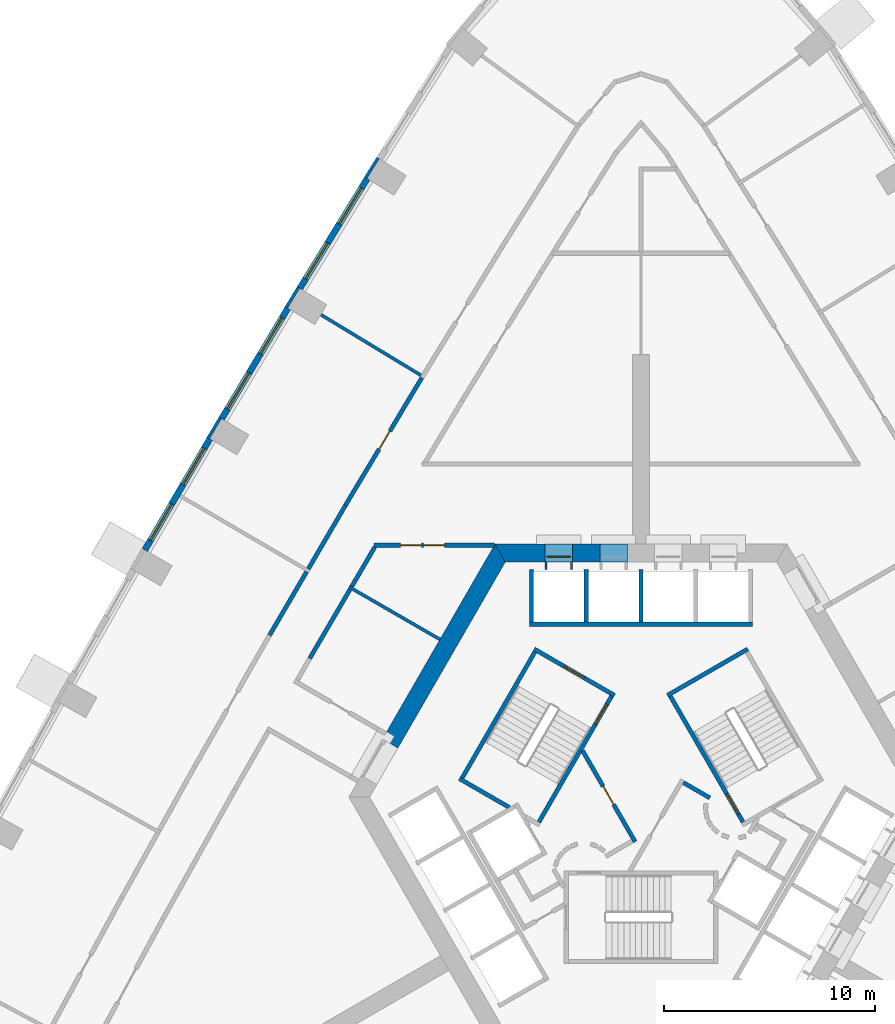
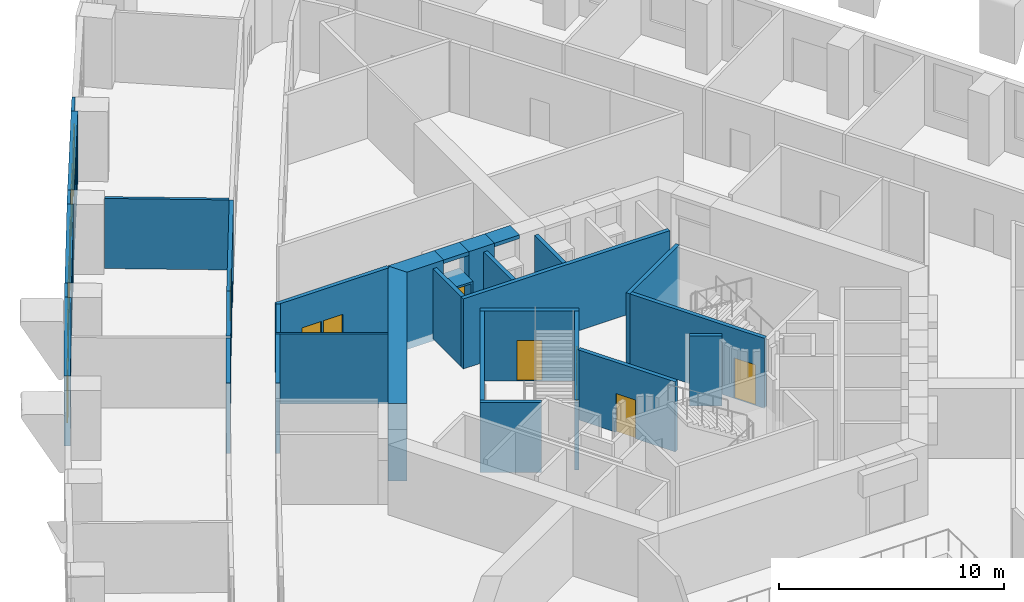
# One storey, part 8 of 15: 32 walls, 8 doors, 6 windows, 14 openings.
"""IFC4 building model written with IfcOpenShell, lengths in metres."""

from ifc_helpers import new_model, si_unit, direction, frame, frame_2d, origin, place, context, subcontext, project, spatial, polyline, rectangle, outline, extrude, material, layer, layer_set, type_object, element, fill, save


model = new_model("IFC4")

# Units and contexts
model_context = context("Model", 3, precision=1e-05, world=origin(), true_north=direction((0.0, 1.0)))
body_context = subcontext(model_context, "Body", "Model", "MODEL_VIEW")
ifc_project = project(units=[si_unit("LENGTHUNIT", "METRE"), si_unit("AREAUNIT", "SQUARE_METRE"), si_unit("VOLUMEUNIT", "CUBIC_METRE"), si_unit("PLANEANGLEUNIT", "RADIAN"), si_unit("MASSUNIT", "GRAM", prefix="KILO")], contexts=[model_context])

# Site, building, storey
site_placement = place(None, origin())
site = spatial("IfcSite", under=ifc_project, at=site_placement, CompositionType="ELEMENT")
building_placement = place(site_placement, origin())
building = spatial("IfcBuilding", under=site, at=building_placement, Name="Entoto Arch Interchange Tower", CompositionType="ELEMENT")
storey_placement = place(building_placement, frame((0.0, 0.0, 124.39990234375)))
storey = spatial("IfcBuildingStorey", under=building, at=storey_placement, Name="L27", CompositionType="ELEMENT", Elevation=124.39990234375)

# Walls
ifc_material_1 = material(Name="Concrete C60/75", Category="concrete")
ifc_layer_1 = layer(ifc_material_1, 0.85009765625)
ifc_layer_set_1 = layer_set([ifc_layer_1], Name="Concrete C60/75")
wall_type_1 = type_object("IfcWallType", Name="Core wall 850 C60/75", PredefinedType="SHEAR", material=ifc_layer_set_1)
wall_1_placement = place(storey_placement, frame((0.0, 0.0, -0.39990234375)))
element("IfcWall", 1, at=wall_1_placement, inside=storey, type_object=wall_type_1, Name="Core wall N L27", PredefinedType="SHEAR", context=body_context, shape_type="SweptSolid", body=[
    extrude(outline(polyline([(-3.25, 14.5), (-3.25, 13.64990234375), (-1.949951171875, 13.64990234375), (-1.949951171875, 14.5), (-3.25, 14.5)])), origin(), (0.0, 0.0, 1.0), 4.199951171875),
])
wall_2_placement = place(storey_placement, frame((0.0, 0.0, -0.39990234375)))
element("IfcWall", 2, at=wall_2_placement, inside=storey, type_object=wall_type_1, Name="Core wall N L27", PredefinedType="SHEAR", context=body_context, shape_type="SweptSolid", body=[
    extrude(outline(polyline([(-4.550048828125, 13.64990234375), (-4.550048828125, 14.5), (-6.927978515625, 14.5), (-6.43701171875, 13.64990234375), (-4.550048828125, 13.64990234375)])), origin(), (0.0, 0.0, 1.0), 4.199951171875),
])
wall_3_placement = place(storey_placement, frame((0.0, 0.0, 3.60009765625)))
element("IfcWall", 3, at=wall_3_placement, inside=storey, type_object=wall_type_1, Name="Core wall lintel N L27", PredefinedType="SHEAR", context=body_context, shape_type="SweptSolid", body=[
    extrude(outline(polyline([(-1.949951171875, 14.5), (-1.949951171875, 13.64990234375), (-0.64990234375, 13.64990234375), (-0.64990234375, 14.5), (-1.949951171875, 14.5)])), origin(), (0.0, 0.0, 1.0), 0.199951171875),
])
wall_4_placement = place(storey_placement, frame((0.0, 0.0, 3.60009765625)))
element("IfcWall", 4, at=wall_4_placement, inside=storey, type_object=wall_type_1, Name="Core wall lintel N L27", PredefinedType="SHEAR", context=body_context, shape_type="SweptSolid", body=[
    extrude(outline(polyline([(-4.550048828125, 14.5), (-4.550048828125, 13.64990234375), (-3.25, 13.64990234375), (-3.25, 14.5), (-4.550048828125, 14.5)])), origin(), (0.0, 0.0, 1.0), 0.199951171875),
])
wall_5_placement = place(storey_placement, frame((0.0, 0.0, -0.39990234375)))
element("IfcWall", 5, at=wall_5_placement, inside=storey, type_object=wall_type_1, Name="Core wall NW L27", PredefinedType="SHEAR", context=body_context, shape_type="SweptSolid", body=[
    extrude(outline(polyline([(-12.26708984375, 5.251953125), (-11.531005859375, 4.826904296875), (-6.43701171875, 13.64990234375), (-6.927978515625, 14.5), (-12.26708984375, 5.251953125)])), origin(), (0.0, 0.0, 1.0), 4.199951171875),
])

# Wall, opening, door
ifc_material_2 = material(Name="Concrete C40/50", Category="concrete")
ifc_layer_2 = layer(ifc_material_2, 1.199951171875)
ifc_layer_set_2 = layer_set([ifc_layer_2], Name="Concrete C40/50")
wall_type_2 = type_object("IfcWallType", Name="LIFT LANDING INFILL WALL", PredefinedType="STANDARD", material=ifc_layer_set_2)
wall_6_placement = place(storey_placement, frame((-3.25, 13.89990234375, 0.0), z_axis=(0.0, 0.0, 1.0), x_axis=(-1.0, 0.0, 0.0)))
wall_6 = element("IfcWall", 6, at=wall_6_placement, inside=storey, type_object=wall_type_2, Name="Lift landing infill wall LR4 L27", PredefinedType="STANDARD", context=body_context, shape_type="SweptSolid", body=[
    extrude(rectangle(XDim=1.300048828125, YDim=1.199951171875, at=frame_2d((0.64990234375, 0.0))), origin(), (0.0, 0.0, 1.0), 2.400146484375),
])
opening_1_placement = place(wall_6_placement, frame((0.10009765625, 0.0, 0.0)))
opening_1 = element("IfcOpeningElement", 7, at=opening_1_placement, cuts=wall_6, Name="Opening LD-LR4-L27", PredefinedType="OPENING", context=body_context, shape_type="SweptSolid", body=[
    extrude(rectangle(XDim=1.10009765625, YDim=2.300048828125, at=frame_2d((0.550048828125, 1.14990234375))), frame((0.0, 0.60986328125, 0.0), z_axis=(0.0, -1.0, 0.0), x_axis=(1.0, 0.0, 0.0)), (0.0, 0.0, 1.0), 1.219970703125),
])
ifc_material_3 = material(Name="Stainless steel 1.4301 panels", Category="steel")
door_type_1 = type_object("IfcDoorType", Name="LIFT LANDING DOOR LD2 1100x2300", OperationType="SLIDING_TO_LEFT", PredefinedType="DOOR", material=ifc_material_3)
door_1_placement = place(opening_1_placement, origin())
door_1 = element("IfcDoor", 8, at=door_1_placement, inside=storey, type_object=door_type_1, Name="Lift landing door LR4 L27", OperationType="SLIDING_TO_LEFT", OverallHeight=2.300048828125, OverallWidth=1.10009765625, PredefinedType="DOOR", context=body_context, shape_type="SweptSolid", body=[
    extrude(rectangle(XDim=1.10009765625, YDim=2.300048828125, at=frame_2d((0.550048828125, 1.14990234375))), frame((0.0, 0.02490234375, 0.0), z_axis=(0.0, -1.0, 0.0), x_axis=(1.0, 0.0, 0.0)), (0.0, 0.0, 1.0), 0.050048828125),
])
fill(opening_1, door_1)

# Walls
ifc_layer_3 = layer(ifc_material_2, 0.199951171875)
ifc_layer_set_3 = layer_set([ifc_layer_3], Name="Concrete C40/50")
wall_type_3 = type_object("IfcWallType", Name="LIFT SHAFT WALL 200", PredefinedType="STANDARD", material=ifc_layer_set_3)
wall_7_placement = place(storey_placement, frame((5.300048828125, 10.699951171875, 0.0), z_axis=(0.0, 0.0, 1.0), x_axis=(-1.0, 0.0, 0.0)))
element("IfcWall", 9, at=wall_7_placement, inside=storey, type_object=wall_type_3, Name="Shaft wall N3 front", PredefinedType="STANDARD", context=body_context, shape_type="SweptSolid", body=[
    extrude(rectangle(XDim=10.60009765625, YDim=0.199951171875, at=frame_2d((5.300048828125, 0.0))), origin(), (0.0, 0.0, 1.0), 3.800048828125),
])
for number, where, z_axis, x_axis, name in (
    (10, (0.0, 10.800048828125, 0.0), (0.0, 0.0, 1.0), (0.0, 1.0, 0.0), "Shaft wall N3 cross 3"),
    (11, (-2.60009765625, 10.800048828125, 0.0), (0.0, 0.0, 1.0), (0.0, 1.0, 0.0), "Shaft wall N3 cross 4"),
    (12, (-5.199951171875, 10.800048828125, 0.0), (0.0, 0.0, 1.0), (0.0, 1.0, 0.0), "Shaft wall N3 cross 5"),
):
    element("IfcWall", number, at=place(storey_placement, frame(where, z_axis=z_axis, x_axis=x_axis)), inside=storey, type_object=wall_type_3, Name=name, PredefinedType="STANDARD", context=body_context, shape_type="SweptSolid", body=[
        extrude(rectangle(XDim=2.5, YDim=0.199951171875, at=frame_2d((1.25, 0.0))), origin(), (0.0, 0.0, 1.0), 3.800048828125),
    ])
ifc_material_4 = material(Name="Gypsum board partition on steel studs", Category="steel")
ifc_layer_4 = layer(ifc_material_4, 0.14990234375)
ifc_layer_set_4 = layer_set([ifc_layer_4], Name="Gypsum board partition on steel studs")
wall_type_4 = type_object("IfcWallType", Name="PARTITION 150", PredefinedType="PARTITIONING", material=ifc_layer_set_4)
wall_8_placement = place(storey_placement, frame((-9.537109375, 9.98095703125, 0.0), z_axis=(0.0, 0.0, 1.0), x_axis=(-0.866035377451, 0.499982724704, 0.0)))
element("IfcWall", 13, at=wall_8_placement, inside=storey, type_object=wall_type_4, Name="wall:L27:p095", PredefinedType="PARTITIONING", context=body_context, shape_type="SweptSolid", body=[
    extrude(rectangle(XDim=4.980224609375, YDim=0.14990234375, at=frame_2d((2.490234375, 0.0))), origin(), (0.0, 0.0, 1.0), 3.800048828125),
])
wall_9_placement = place(storey_placement, frame((-10.44189453125, 22.512939453125, 0.0), z_axis=(0.0, 0.0, 1.0), x_axis=(-0.855343076014, 0.518061986943, 0.0)))
element("IfcWall", 14, at=wall_9_placement, inside=storey, type_object=wall_type_4, Name="wall:L27:p146", PredefinedType="PARTITIONING", context=body_context, shape_type="SweptSolid", body=[
    extrude(rectangle(XDim=5.5302734375, YDim=0.14990234375, at=frame_2d((2.76513671875, 0.0))), origin(), (0.0, 0.0, 1.0), 3.800048828125),
])
ifc_layer_5 = layer(ifc_material_4, 0.199951171875)
ifc_layer_set_5 = layer_set([ifc_layer_5], Name="Gypsum board partition on steel studs")
wall_type_5 = type_object("IfcWallType", Name="PARTITION 200", PredefinedType="PARTITIONING", material=ifc_layer_set_5)
wall_10_placement = place(storey_placement, frame((-12.6279296875, 14.364013671875, 0.0), z_axis=(0.0, 0.0, 1.0), x_axis=(-0.504457175129, -0.863436713639, 0.0)))
element("IfcWall", 15, at=wall_10_placement, inside=storey, type_object=wall_type_5, Name="wall:L27:p001", PredefinedType="PARTITIONING", context=body_context, shape_type="SweptSolid", body=[
    extrude(rectangle(XDim=2.175048828125, YDim=0.199951171875, at=frame_2d((1.08740234375, 0.0))), origin(), (0.0, 0.0, 1.0), 3.800048828125),
])
wall_11_placement = place(storey_placement, frame((-13.801025390625, 12.35595703125, 0.0), z_axis=(0.0, 0.0, 1.0), x_axis=(-0.504282474222, -0.863538757782, 0.0)))
element("IfcWall", 16, at=wall_11_placement, inside=storey, type_object=wall_type_5, Name="wall:L27:p002", PredefinedType="PARTITIONING", context=body_context, shape_type="SweptSolid", body=[
    extrude(rectangle(XDim=3.799560546875, YDim=0.199951171875, at=frame_2d((1.89990234375, 0.0))), origin(), (0.0, 0.0, 1.0), 3.800048828125),
])
wall_12_placement = place(storey_placement, frame((-15.783935546875, 13.322021484375, 0.0), z_axis=(0.0, 0.0, 1.0), x_axis=(0.50424043703, 0.863563304954, 0.0)))
element("IfcWall", 17, at=wall_12_placement, inside=storey, type_object=wall_type_5, Name="wall:L27:p069", PredefinedType="PARTITIONING", context=body_context, shape_type="SweptSolid", body=[
    extrude(rectangle(XDim=3.492431640625, YDim=0.199951171875, at=frame_2d((1.74609375, 0.0))), origin(), (0.0, 0.0, 1.0), 3.800048828125),
])

# Wall, opening, door
wall_13_placement = place(storey_placement, frame((-14.02294921875, 16.337890625, 0.0), z_axis=(0.0, 0.0, 1.0), x_axis=(0.513773581048, 0.857925816966, 0.0)))
wall_13 = element("IfcWall", 18, at=wall_13_placement, inside=storey, type_object=wall_type_5, Name="wall:L27:p070", PredefinedType="PARTITIONING", context=body_context, shape_type="SweptSolid", body=[
    extrude(rectangle(XDim=7.061279296875, YDim=0.199951171875, at=frame_2d((3.53076171875, 0.0))), origin(), (0.0, 0.0, 1.0), 3.800048828125),
])
opening_2_placement = place(wall_13_placement, frame((3.10595703125, 0.0, 0.0)))
opening_2 = element("IfcOpeningElement", 19, at=opening_2_placement, cuts=wall_13, Name="Opening L27-D15", PredefinedType="OPENING", context=body_context, shape_type="SweptSolid", body=[
    extrude(rectangle(XDim=1.0, YDim=2.10009765625, at=frame_2d((0.5, 1.050048828125))), frame((0.0, 0.10986328125, 0.0), z_axis=(0.0, -1.0, 0.0), x_axis=(1.0, 0.0, 0.0)), (0.0, 0.0, 1.0), 0.219970703125),
])
ifc_material_5 = material(Name="Timber door leaf in Steel S235 frame", Category="steel")
door_type_2 = type_object("IfcDoorType", Name="DOOR DS-10 1000x2100", OperationType="SINGLE_SWING_LEFT", PredefinedType="DOOR", material=ifc_material_5)
door_2_placement = place(opening_2_placement, origin())
door_2 = element("IfcDoor", 20, at=door_2_placement, inside=storey, type_object=door_type_2, Name="door:L27:15", OperationType="SINGLE_SWING_LEFT", OverallHeight=2.10009765625, OverallWidth=1.0, PredefinedType="DOOR", context=body_context, shape_type="SweptSolid", body=[
    extrude(rectangle(XDim=1.0, YDim=2.10009765625, at=frame_2d((0.5, 1.050048828125))), frame((0.0, 0.02490234375, 0.0), z_axis=(0.0, -1.0, 0.0), x_axis=(1.0, 0.0, 0.0)), (0.0, 0.0, 1.0), 0.050048828125),
])
fill(opening_2, door_2)

# Wall
wall_14_placement = place(storey_placement, frame((-17.623046875, 10.175048828125, 0.0), z_axis=(0.0, 0.0, 1.0), x_axis=(0.504383407959, 0.863479807393, 0.0)))
element("IfcWall", 21, at=wall_14_placement, inside=storey, type_object=wall_type_5, Name="wall:L27:p073", PredefinedType="PARTITIONING", context=body_context, shape_type="SweptSolid", body=[
    extrude(rectangle(XDim=3.4951171875, YDim=0.199951171875, at=frame_2d((1.74755859375, 0.0))), origin(), (0.0, 0.0, 1.0), 3.800048828125),
])

# Wall, openings, doors
wall_15_placement = place(storey_placement, frame((-6.95703125, 14.449951171875, 0.0), z_axis=(0.0, 0.0, 1.0), x_axis=(-1.0, 0.0, 0.0)))
wall_15 = element("IfcWall", 22, at=wall_15_placement, inside=storey, type_object=wall_type_5, Name="wall:L27:p096", PredefinedType="PARTITIONING", context=body_context, shape_type="SweptSolid", body=[
    extrude(rectangle(XDim=5.720947265625, YDim=0.199951171875, at=frame_2d((2.8603515625, 0.0))), origin(), (0.0, 0.0, 1.0), 3.800048828125),
])
opening_3_placement = place(wall_15_placement, frame((2.360107421875, 0.0, 0.0)))
opening_3 = element("IfcOpeningElement", 23, at=opening_3_placement, cuts=wall_15, Name="Opening L27-D31", PredefinedType="OPENING", context=body_context, shape_type="SweptSolid", body=[
    extrude(rectangle(XDim=1.0, YDim=2.10009765625, at=frame_2d((0.5, 1.050048828125))), frame((0.0, 0.10986328125, 0.0), z_axis=(0.0, -1.0, 0.0), x_axis=(1.0, 0.0, 0.0)), (0.0, 0.0, 1.0), 0.219970703125),
])
opening_4_placement = place(wall_15_placement, frame((3.4599609375, 0.0, 0.0)))
opening_4 = element("IfcOpeningElement", 24, at=opening_4_placement, cuts=wall_15, Name="Opening L27-D40", PredefinedType="OPENING", context=body_context, shape_type="SweptSolid", body=[
    extrude(rectangle(XDim=1.0, YDim=2.10009765625, at=frame_2d((0.5, 1.050048828125))), frame((0.0, 0.10986328125, 0.0), z_axis=(0.0, -1.0, 0.0), x_axis=(1.0, 0.0, 0.0)), (0.0, 0.0, 1.0), 0.219970703125),
])
door_3_placement = place(opening_3_placement, origin())
door_3 = element("IfcDoor", 25, at=door_3_placement, inside=storey, type_object=door_type_2, Name="door:L27:31", OperationType="SINGLE_SWING_LEFT", OverallHeight=2.10009765625, OverallWidth=1.0, PredefinedType="DOOR", context=body_context, shape_type="SweptSolid", body=[
    extrude(rectangle(XDim=1.0, YDim=2.10009765625, at=frame_2d((0.5, 1.050048828125))), frame((0.0, 0.02490234375, 0.0), z_axis=(0.0, -1.0, 0.0), x_axis=(1.0, 0.0, 0.0)), (0.0, 0.0, 1.0), 0.050048828125),
])
fill(opening_3, door_3)
door_4_placement = place(opening_4_placement, origin())
door_4 = element("IfcDoor", 26, at=door_4_placement, inside=storey, type_object=door_type_2, Name="door:L27:40", OperationType="SINGLE_SWING_RIGHT", OverallHeight=2.10009765625, OverallWidth=1.0, PredefinedType="DOOR", context=body_context, shape_type="SweptSolid", body=[
    extrude(rectangle(XDim=1.0, YDim=2.10009765625, at=frame_2d((0.5, 1.050048828125))), frame((0.0, 0.02490234375, 0.0), z_axis=(0.0, -1.0, 0.0), x_axis=(1.0, 0.0, 0.0)), (0.0, 0.0, 1.0), 0.050048828125),
])
fill(opening_4, door_4)

# Wall
wall_16_placement = place(storey_placement, frame((2.011962890625, 3.18603515625, 0.0), z_axis=(0.0, 0.0, 1.0), x_axis=(0.865891012941, -0.500232699559, 0.0)))
element("IfcWall", 27, at=wall_16_placement, inside=storey, type_object=wall_type_5, Name="wall:L27:p100", PredefinedType="PARTITIONING", context=body_context, shape_type="SweptSolid", body=[
    extrude(rectangle(XDim=1.449462890625, YDim=0.199951171875, at=frame_2d((0.724609375, 0.0))), origin(), (0.0, 0.0, 1.0), 3.800048828125),
])

# Wall, opening, door
wall_17_placement = place(storey_placement, frame((-2.77099609375, 4.699951171875, 0.0), z_axis=(0.0, 0.0, 1.0), x_axis=(0.499969479948, -0.866043023828, 0.0)))
wall_17 = element("IfcWall", 28, at=wall_17_placement, inside=storey, type_object=wall_type_5, Name="wall:L27:p107", PredefinedType="PARTITIONING", context=body_context, shape_type="SweptSolid", body=[
    extrude(rectangle(XDim=4.990478515625, YDim=0.199951171875, at=frame_2d((2.4951171875, 0.0))), origin(), (0.0, 0.0, 1.0), 3.800048828125),
])
opening_5_placement = place(wall_17_placement, frame((1.945068359375, 0.0, 0.0)))
opening_5 = element("IfcOpeningElement", 29, at=opening_5_placement, cuts=wall_17, Name="Opening L27-D36", PredefinedType="OPENING", context=body_context, shape_type="SweptSolid", body=[
    extrude(rectangle(XDim=1.0, YDim=2.10009765625, at=frame_2d((0.5, 1.050048828125))), frame((0.0, 0.10986328125, 0.0), z_axis=(0.0, -1.0, 0.0), x_axis=(1.0, 0.0, 0.0)), (0.0, 0.0, 1.0), 0.219970703125),
])
ifc_material_6 = material(Name="Fire-rated Steel S235 door and frame", Category="steel")
door_type_3 = type_object("IfcDoorType", Name="DOOR FD-10 1000x2100", OperationType="SINGLE_SWING_LEFT", PredefinedType="DOOR", material=ifc_material_6)
door_5_placement = place(opening_5_placement, origin())
door_5 = element("IfcDoor", 30, at=door_5_placement, inside=storey, type_object=door_type_3, Name="door:L27:36", OperationType="SINGLE_SWING_RIGHT", OverallHeight=2.10009765625, OverallWidth=1.0, PredefinedType="DOOR", context=body_context, shape_type="SweptSolid", body=[
    extrude(rectangle(XDim=1.0, YDim=2.10009765625, at=frame_2d((0.5, 1.050048828125))), frame((0.0, 0.02490234375, 0.0), z_axis=(0.0, -1.0, 0.0), x_axis=(1.0, 0.0, 0.0)), (0.0, 0.0, 1.0), 0.050048828125),
])
fill(opening_5, door_5)

# Wall
ifc_layer_6 = layer(ifc_material_2, 0.199951171875)
ifc_layer_set_6 = layer_set([ifc_layer_6], Name="Concrete C40/50")
wall_type_6 = type_object("IfcWallType", Name="STAIR ENCLOSURE WALL 200", PredefinedType="STANDARD", material=ifc_layer_set_6)
wall_18_placement = place(storey_placement, frame((1.256103515625, 7.323974609375, 0.0), z_axis=(0.0, 0.0, 1.0), x_axis=(0.866046073146, 0.499964197906, 0.0)))
element("IfcWall", 31, at=wall_18_placement, inside=storey, type_object=wall_type_6, Name="Stair wall ST-NE far", PredefinedType="STANDARD", context=body_context, shape_type="SweptSolid", body=[
    extrude(rectangle(XDim=4.400146484375, YDim=0.199951171875, at=frame_2d((2.2001953125, 0.0))), origin(), (0.0, 0.0, 1.0), 3.800048828125),
])

# Wall, opening, door
wall_19_placement = place(storey_placement, frame((4.843017578125, 1.31201171875, 0.0), z_axis=(0.0, 0.0, 1.0), x_axis=(-0.499963383562, 0.866046543262, 0.0)))
wall_19 = element("IfcWall", 32, at=wall_19_placement, inside=storey, type_object=wall_type_6, Name="Stair wall ST-NE hall", PredefinedType="STANDARD", context=body_context, shape_type="SweptSolid", body=[
    extrude(rectangle(XDim=6.900390625, YDim=0.199951171875, at=frame_2d((3.4501953125, 0.0))), origin(), (0.0, 0.0, 1.0), 3.800048828125),
])
opening_6_placement = place(wall_19_placement, frame((0.449951171875, 0.0, 0.0)))
opening_6 = element("IfcOpeningElement", 33, at=opening_6_placement, cuts=wall_19, Name="Opening SD-ST-NE-L27", PredefinedType="OPENING", context=body_context, shape_type="SweptSolid", body=[
    extrude(rectangle(XDim=1.10009765625, YDim=2.199951171875, at=frame_2d((0.550048828125, 1.10009765625))), frame((0.0, 0.10986328125, 0.0), z_axis=(0.0, -1.0, 0.0), x_axis=(1.0, 0.0, 0.0)), (0.0, 0.0, 1.0), 0.219970703125),
])
ifc_material_7 = material(Name="Steel S235", Category="steel")
door_type_4 = type_object("IfcDoorType", Name="STAIR DOOR SD1 1100x2200", OperationType="SINGLE_SWING_LEFT", PredefinedType="DOOR", material=ifc_material_7)
door_6_placement = place(opening_6_placement, origin())
door_6 = element("IfcDoor", 34, at=door_6_placement, inside=storey, type_object=door_type_4, Name="Stair door ST-NE L27", OperationType="SINGLE_SWING_LEFT", OverallHeight=2.199951171875, OverallWidth=1.10009765625, PredefinedType="DOOR", context=body_context, shape_type="SweptSolid", body=[
    extrude(rectangle(XDim=1.10009765625, YDim=2.199951171875, at=frame_2d((0.550048828125, 1.10009765625))), frame((0.0, 0.02490234375, 0.0), z_axis=(0.0, -1.0, 0.0), x_axis=(1.0, 0.0, 0.0)), (0.0, 0.0, 1.0), 0.050048828125),
])
fill(opening_6, door_6)

wall_20_placement = place(storey_placement, frame((-1.256103515625, 7.323974609375, 0.0), z_axis=(0.0, 0.0, 1.0), x_axis=(-0.866046073146, 0.499964197906, 0.0)))
wall_20 = element("IfcWall", 35, at=wall_20_placement, inside=storey, type_object=wall_type_6, Name="Stair wall ST-NW near", PredefinedType="STANDARD", context=body_context, shape_type="SweptSolid", body=[
    extrude(rectangle(XDim=4.400146484375, YDim=0.199951171875, at=frame_2d((2.2001953125, 0.0))), origin(), (0.0, 0.0, 1.0), 3.800048828125),
])
opening_7_placement = place(wall_20_placement, frame((1.64990234375, 0.0, 0.0)))
opening_7 = element("IfcOpeningElement", 36, at=opening_7_placement, cuts=wall_20, Name="Opening SD-ST-NW-L27-E", PredefinedType="OPENING", context=body_context, shape_type="SweptSolid", body=[
    extrude(rectangle(XDim=1.10009765625, YDim=2.199951171875, at=frame_2d((0.550048828125, 1.10009765625))), frame((0.0, 0.10986328125, 0.0), z_axis=(0.0, -1.0, 0.0), x_axis=(1.0, 0.0, 0.0)), (0.0, 0.0, 1.0), 0.219970703125),
])
door_7_placement = place(opening_7_placement, origin())
door_7 = element("IfcDoor", 37, at=door_7_placement, inside=storey, type_object=door_type_4, Name="Stair door ST-NW L27 end", OperationType="SINGLE_SWING_LEFT", OverallHeight=2.199951171875, OverallWidth=1.10009765625, PredefinedType="DOOR", context=body_context, shape_type="SweptSolid", body=[
    extrude(rectangle(XDim=1.10009765625, YDim=2.199951171875, at=frame_2d((0.550048828125, 1.10009765625))), frame((0.0, 0.02490234375, 0.0), z_axis=(0.0, -1.0, 0.0), x_axis=(1.0, 0.0, 0.0)), (0.0, 0.0, 1.0), 0.050048828125),
])
fill(opening_7, door_7)

# Wall
wall_21_placement = place(storey_placement, frame((-6.25, 2.010009765625, 0.0), z_axis=(0.0, 0.0, 1.0), x_axis=(-0.86611865017, 0.499838457731, 0.0)))
element("IfcWall", 38, at=wall_21_placement, inside=storey, type_object=wall_type_6, Name="Stair wall ST-NW far", PredefinedType="STANDARD", context=body_context, shape_type="SweptSolid", body=[
    extrude(rectangle(XDim=2.73291015625, YDim=0.199951171875, at=frame_2d((1.366455078125, 0.0))), origin(), (0.0, 0.0, 1.0), 3.800048828125),
])

# Wall, opening, door
wall_22_placement = place(storey_placement, frame((-1.39306640625, 7.2880859375, 0.0), z_axis=(0.0, 0.0, 1.0), x_axis=(-0.499963383562, -0.866046543262, 0.0)))
wall_22 = element("IfcWall", 39, at=wall_22_placement, inside=storey, type_object=wall_type_6, Name="Stair wall ST-NW hall", PredefinedType="STANDARD", context=body_context, shape_type="SweptSolid", body=[
    extrude(rectangle(XDim=6.900390625, YDim=0.199951171875, at=frame_2d((3.4501953125, 0.0))), origin(), (0.0, 0.0, 1.0), 3.800048828125),
])
opening_8_placement = place(wall_22_placement, frame((0.449951171875, 0.0, 0.0)))
opening_8 = element("IfcOpeningElement", 40, at=opening_8_placement, cuts=wall_22, Name="Opening SD-ST-NW-L27", PredefinedType="OPENING", context=body_context, shape_type="SweptSolid", body=[
    extrude(rectangle(XDim=1.10009765625, YDim=2.199951171875, at=frame_2d((0.550048828125, 1.10009765625))), frame((0.0, 0.10986328125, 0.0), z_axis=(0.0, -1.0, 0.0), x_axis=(1.0, 0.0, 0.0)), (0.0, 0.0, 1.0), 0.219970703125),
])
door_8_placement = place(opening_8_placement, origin())
door_8 = element("IfcDoor", 41, at=door_8_placement, inside=storey, type_object=door_type_4, Name="Stair door ST-NW L27", OperationType="SINGLE_SWING_LEFT", OverallHeight=2.199951171875, OverallWidth=1.10009765625, PredefinedType="DOOR", context=body_context, shape_type="SweptSolid", body=[
    extrude(rectangle(XDim=1.10009765625, YDim=2.199951171875, at=frame_2d((0.550048828125, 1.10009765625))), frame((0.0, 0.02490234375, 0.0), z_axis=(0.0, -1.0, 0.0), x_axis=(1.0, 0.0, 0.0)), (0.0, 0.0, 1.0), 0.050048828125),
])
fill(opening_8, door_8)

# Wall
wall_23_placement = place(storey_placement, frame((-5.030029296875, 9.387939453125, 0.0), z_axis=(0.0, 0.0, 1.0), x_axis=(-0.499978703459, -0.866037698999, 0.0)))
element("IfcWall", 42, at=wall_23_placement, inside=storey, type_object=wall_type_6, Name="Stair wall ST-NW back", PredefinedType="STANDARD", context=body_context, shape_type="SweptSolid", body=[
    extrude(rectangle(XDim=6.900146484375, YDim=0.199951171875, at=frame_2d((3.4501953125, 0.0))), origin(), (0.0, 0.0, 1.0), 3.800048828125),
])

# Wall, openings, windows
ifc_material_8 = material(Name="Welded tuff (ignimbrite) cladding, warm buff", Category="masonry")
ifc_layer_7 = layer(ifc_material_8, 0.300048828125)
ifc_layer_set_7 = layer_set([ifc_layer_7], Name="Welded tuff (ignimbrite) cladding, warm buff")
wall_type_7 = type_object("IfcWallType", Name="STONE INFILL WALL 300", PredefinedType="STANDARD", material=ifc_layer_set_7)
wall_24_placement = place(storey_placement, frame((-12.989013671875, 31.845947265625, 0.0), z_axis=(0.0, 0.0, 1.0), x_axis=(-0.522757750181, -0.8524812811, 0.0)))
wall_24 = element("IfcWall", 43, at=wall_24_placement, inside=storey, type_object=wall_type_7, Name="Facade wall NW-02 L27", PredefinedType="STANDARD", context=body_context, shape_type="SweptSolid", body=[
    extrude(rectangle(XDim=6.11376953125, YDim=0.300048828125, at=frame_2d((3.056884765625, 0.0))), origin(), (0.0, 0.0, 1.0), 3.800048828125),
])
opening_9_placement = place(wall_24_placement, frame((0.528076171875, 0.0, 0.89990234375)))
opening_9 = element("IfcOpeningElement", 44, at=opening_9_placement, cuts=wall_24, Name="Opening WO-C", PredefinedType="OPENING", context=body_context, shape_type="SweptSolid", body=[
    extrude(rectangle(XDim=2.0, YDim=2.60009765625, at=frame_2d((1.0, 1.300048828125))), frame((0.0, 0.16015625, 0.0), z_axis=(0.0, -1.0, 0.0), x_axis=(1.0, 0.0, 0.0)), (0.0, 0.0, 1.0), 0.320068359375),
])
opening_10_placement = place(wall_24_placement, frame((3.5849609375, 0.0, 0.89990234375)))
opening_10 = element("IfcOpeningElement", 45, at=opening_10_placement, cuts=wall_24, Name="Opening WO-C", PredefinedType="OPENING", context=body_context, shape_type="SweptSolid", body=[
    extrude(rectangle(XDim=2.0, YDim=2.60009765625, at=frame_2d((1.0, 1.300048828125))), frame((0.0, 0.16015625, 0.0), z_axis=(0.0, -1.0, 0.0), x_axis=(1.0, 0.0, 0.0)), (0.0, 0.0, 1.0), 0.320068359375),
])
ifc_material_9 = material(Name="Clear glass, low-e double glazed", Category="glass")
window_type = type_object("IfcWindowType", Name="WINDOW WO-C 2000x2600", PartitioningType="DOUBLE_PANEL_VERTICAL", PredefinedType="WINDOW", material=ifc_material_9)
window_1_placement = place(opening_9_placement, origin())
window_1 = element("IfcWindow", 46, at=window_1_placement, inside=storey, type_object=window_type, Name="Window WO-C NW-02 L27", OverallHeight=2.60009765625, OverallWidth=2.0, PartitioningType="SINGLE_PANEL", PredefinedType="WINDOW", context=body_context, shape_type="SweptSolid", body=[
    extrude(rectangle(XDim=2.0, YDim=2.60009765625, at=frame_2d((1.0, 1.300048828125))), frame((0.0, 0.030029296875, 0.0), z_axis=(0.0, -1.0, 0.0), x_axis=(1.0, 0.0, 0.0)), (0.0, 0.0, 1.0), 0.06005859375),
])
fill(opening_9, window_1)
window_2_placement = place(opening_10_placement, origin())
window_2 = element("IfcWindow", 47, at=window_2_placement, inside=storey, type_object=window_type, Name="Window WO-C NW-02 L27", OverallHeight=2.60009765625, OverallWidth=2.0, PartitioningType="SINGLE_PANEL", PredefinedType="WINDOW", context=body_context, shape_type="SweptSolid", body=[
    extrude(rectangle(XDim=2.0, YDim=2.60009765625, at=frame_2d((1.0, 1.300048828125))), frame((0.0, 0.030029296875, 0.0), z_axis=(0.0, -1.0, 0.0), x_axis=(1.0, 0.0, 0.0)), (0.0, 0.0, 1.0), 0.06005859375),
])
fill(opening_10, window_2)

wall_25_placement = place(storey_placement, frame((-16.75390625, 25.695068359375, 0.0), z_axis=(0.0, 0.0, 1.0), x_axis=(-0.513708729904, -0.857964650099, 0.0)))
wall_25 = element("IfcWall", 48, at=wall_25_placement, inside=storey, type_object=wall_type_7, Name="Facade wall NW-03 L27", PredefinedType="STANDARD", context=body_context, shape_type="SweptSolid", body=[
    extrude(rectangle(XDim=6.114501953125, YDim=0.300048828125, at=frame_2d((3.05712890625, 0.0))), origin(), (0.0, 0.0, 1.0), 3.800048828125),
])
opening_11_placement = place(wall_25_placement, frame((0.529052734375, 0.0, 0.89990234375)))
opening_11 = element("IfcOpeningElement", 49, at=opening_11_placement, cuts=wall_25, Name="Opening WO-C", PredefinedType="OPENING", context=body_context, shape_type="SweptSolid", body=[
    extrude(rectangle(XDim=2.0, YDim=2.60009765625, at=frame_2d((1.0, 1.300048828125))), frame((0.0, 0.16015625, 0.0), z_axis=(0.0, -1.0, 0.0), x_axis=(1.0, 0.0, 0.0)), (0.0, 0.0, 1.0), 0.320068359375),
])
opening_12_placement = place(wall_25_placement, frame((3.5859375, 0.0, 0.89990234375)))
opening_12 = element("IfcOpeningElement", 50, at=opening_12_placement, cuts=wall_25, Name="Opening WO-C", PredefinedType="OPENING", context=body_context, shape_type="SweptSolid", body=[
    extrude(rectangle(XDim=2.0, YDim=2.60009765625, at=frame_2d((1.0, 1.300048828125))), frame((0.0, 0.16015625, 0.0), z_axis=(0.0, -1.0, 0.0), x_axis=(1.0, 0.0, 0.0)), (0.0, 0.0, 1.0), 0.320068359375),
])
window_3_placement = place(opening_11_placement, origin())
window_3 = element("IfcWindow", 51, at=window_3_placement, inside=storey, type_object=window_type, Name="Window WO-C NW-03 L27", OverallHeight=2.60009765625, OverallWidth=2.0, PartitioningType="SINGLE_PANEL", PredefinedType="WINDOW", context=body_context, shape_type="SweptSolid", body=[
    extrude(rectangle(XDim=2.0, YDim=2.60009765625, at=frame_2d((1.0, 1.300048828125))), frame((0.0, 0.030029296875, 0.0), z_axis=(0.0, -1.0, 0.0), x_axis=(1.0, 0.0, 0.0)), (0.0, 0.0, 1.0), 0.06005859375),
])
fill(opening_11, window_3)
window_4_placement = place(opening_12_placement, origin())
window_4 = element("IfcWindow", 52, at=window_4_placement, inside=storey, type_object=window_type, Name="Window WO-C NW-03 L27", OverallHeight=2.60009765625, OverallWidth=2.0, PartitioningType="SINGLE_PANEL", PredefinedType="WINDOW", context=body_context, shape_type="SweptSolid", body=[
    extrude(rectangle(XDim=2.0, YDim=2.60009765625, at=frame_2d((1.0, 1.300048828125))), frame((0.0, 0.030029296875, 0.0), z_axis=(0.0, -1.0, 0.0), x_axis=(1.0, 0.0, 0.0)), (0.0, 0.0, 1.0), 0.06005859375),
])
fill(opening_12, window_4)

wall_26_placement = place(storey_placement, frame((-20.4541015625, 19.5029296875, 0.0), z_axis=(0.0, 0.0, 1.0), x_axis=(-0.504441987427, -0.863445586775, 0.0)))
wall_26 = element("IfcWall", 53, at=wall_26_placement, inside=storey, type_object=wall_type_7, Name="Facade wall NW-04 L27", PredefinedType="STANDARD", context=body_context, shape_type="SweptSolid", body=[
    extrude(rectangle(XDim=6.11376953125, YDim=0.300048828125, at=frame_2d((3.056884765625, 0.0))), origin(), (0.0, 0.0, 1.0), 3.800048828125),
])
opening_13_placement = place(wall_26_placement, frame((0.528076171875, 0.0, 0.89990234375)))
opening_13 = element("IfcOpeningElement", 54, at=opening_13_placement, cuts=wall_26, Name="Opening WO-C", PredefinedType="OPENING", context=body_context, shape_type="SweptSolid", body=[
    extrude(rectangle(XDim=2.0, YDim=2.60009765625, at=frame_2d((1.0, 1.300048828125))), frame((0.0, 0.16015625, 0.0), z_axis=(0.0, -1.0, 0.0), x_axis=(1.0, 0.0, 0.0)), (0.0, 0.0, 1.0), 0.320068359375),
])
opening_14_placement = place(wall_26_placement, frame((3.5849609375, 0.0, 0.89990234375)))
opening_14 = element("IfcOpeningElement", 55, at=opening_14_placement, cuts=wall_26, Name="Opening WO-C", PredefinedType="OPENING", context=body_context, shape_type="SweptSolid", body=[
    extrude(rectangle(XDim=2.0, YDim=2.60009765625, at=frame_2d((1.0, 1.300048828125))), frame((0.0, 0.16015625, 0.0), z_axis=(0.0, -1.0, 0.0), x_axis=(1.0, 0.0, 0.0)), (0.0, 0.0, 1.0), 0.320068359375),
])
window_5_placement = place(opening_13_placement, origin())
window_5 = element("IfcWindow", 56, at=window_5_placement, inside=storey, type_object=window_type, Name="Window WO-C NW-04 L27", OverallHeight=2.60009765625, OverallWidth=2.0, PartitioningType="SINGLE_PANEL", PredefinedType="WINDOW", context=body_context, shape_type="SweptSolid", body=[
    extrude(rectangle(XDim=2.0, YDim=2.60009765625, at=frame_2d((1.0, 1.300048828125))), frame((0.0, 0.030029296875, 0.0), z_axis=(0.0, -1.0, 0.0), x_axis=(1.0, 0.0, 0.0)), (0.0, 0.0, 1.0), 0.06005859375),
])
fill(opening_13, window_5)
window_6_placement = place(opening_14_placement, origin())
window_6 = element("IfcWindow", 57, at=window_6_placement, inside=storey, type_object=window_type, Name="Window WO-C NW-04 L27", OverallHeight=2.60009765625, OverallWidth=2.0, PartitioningType="SINGLE_PANEL", PredefinedType="WINDOW", context=body_context, shape_type="SweptSolid", body=[
    extrude(rectangle(XDim=2.0, YDim=2.60009765625, at=frame_2d((1.0, 1.300048828125))), frame((0.0, 0.030029296875, 0.0), z_axis=(0.0, -1.0, 0.0), x_axis=(1.0, 0.0, 0.0)), (0.0, 0.0, 1.0), 0.06005859375),
])
fill(opening_14, window_6)

# Walls
ifc_layer_8 = layer(ifc_material_8, 0.14990234375)
ifc_layer_set_8 = layer_set([ifc_layer_8], Name="Welded tuff (ignimbrite) cladding, warm buff")
wall_type_8 = type_object("IfcWallType", Name="STONE PIER CLADDING 150", PredefinedType="STANDARD", material=ifc_layer_set_8)
wall_27_placement = place(storey_placement, frame((-12.47412109375, 32.821044921875, 0.0), z_axis=(0.0, 0.0, 1.0), x_axis=(-0.529719642941, -0.848172800721, 0.0)))
element("IfcWall", 58, at=wall_27_placement, inside=storey, type_object=wall_type_8, Name="Stone pier NW02 L27", PredefinedType="STANDARD", context=body_context, shape_type="SweptSolid", body=[
    extrude(rectangle(XDim=1.10009765625, YDim=0.14990234375, at=frame_2d((0.550048828125, 0.0))), origin(), (0.0, 0.0, 1.0), 3.800048828125),
])
wall_28_placement = place(storey_placement, frame((-16.25, 26.675048828125, 0.0), z_axis=(0.0, 0.0, 1.0), x_axis=(-0.519869515594, -0.854245682901, 0.0)))
element("IfcWall", 59, at=wall_28_placement, inside=storey, type_object=wall_type_8, Name="Stone pier NW03 L27", PredefinedType="STANDARD", context=body_context, shape_type="SweptSolid", body=[
    extrude(rectangle(XDim=1.100341796875, YDim=0.14990234375, at=frame_2d((0.55029296875, 0.0))), origin(), (0.0, 0.0, 1.0), 3.800048828125),
])
wall_29_placement = place(storey_placement, frame((-19.9609375, 20.489013671875, 0.0), z_axis=(0.0, 0.0, 1.0), x_axis=(-0.510082245696, -0.860125631885, 0.0)))
element("IfcWall", 60, at=wall_29_placement, inside=storey, type_object=wall_type_8, Name="Stone pier NW04 L27", PredefinedType="STANDARD", context=body_context, shape_type="SweptSolid", body=[
    extrude(rectangle(XDim=1.099853515625, YDim=0.14990234375, at=frame_2d((0.5498046875, 0.0))), origin(), (0.0, 0.0, 1.0), 3.800048828125),
])

save(model, "model.ifc")
